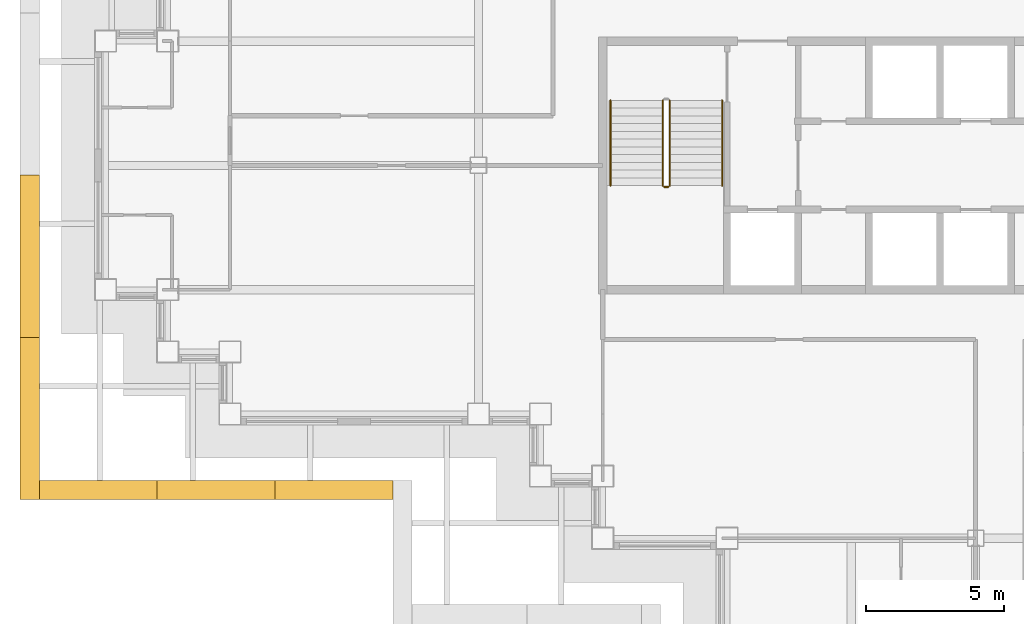
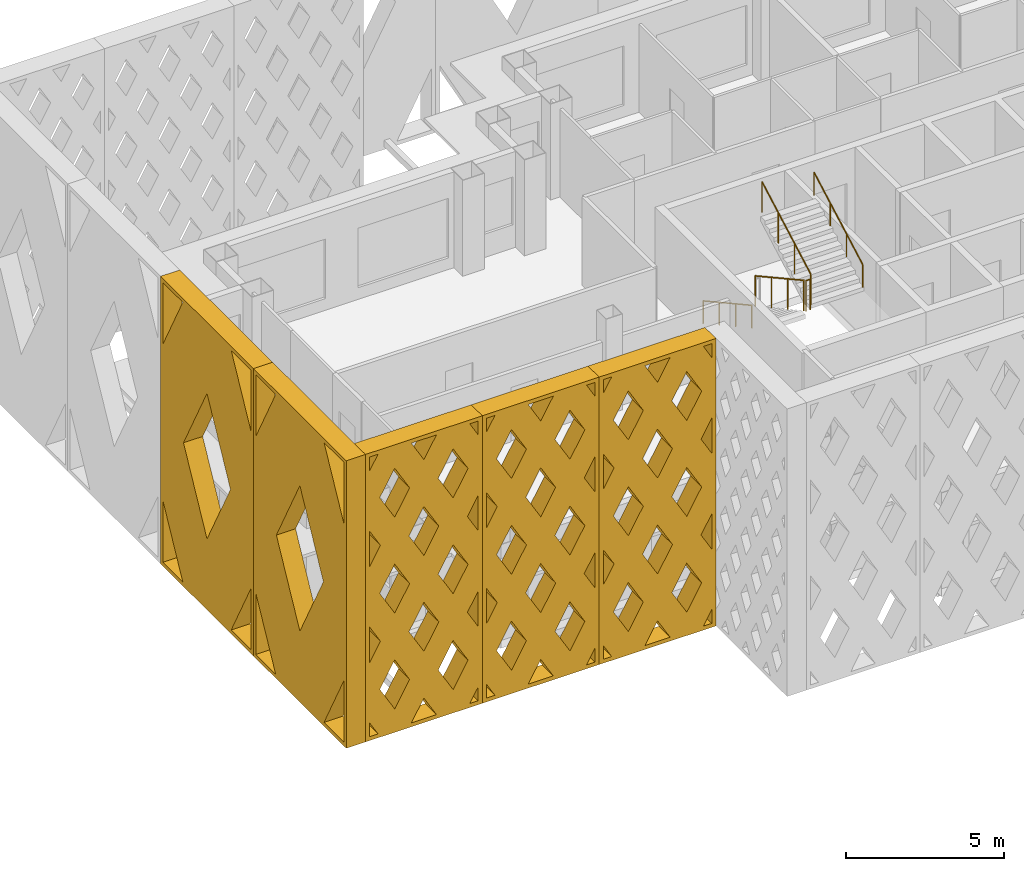
# One storey, part 14 of 18: 5 railings, 5 shading devices.
"""IFC4 building model written with IfcOpenShell, lengths in metres."""

from ifc_helpers import new_model, si_unit, direction, frame, origin, origin_2d, place, context, subcontext, project, spatial, polyline, circle, outline, extrude, material, type_object, element, save


model = new_model("IFC4")

# Units and contexts
model_context = context("Model", 3, precision=1e-05, world=origin(), true_north=direction((0.0, 1.0)))
body_context = subcontext(model_context, "Body", "Model", "MODEL_VIEW")
ifc_project = project(units=[si_unit("LENGTHUNIT", "METRE"), si_unit("AREAUNIT", "SQUARE_METRE"), si_unit("VOLUMEUNIT", "CUBIC_METRE"), si_unit("PLANEANGLEUNIT", "RADIAN"), si_unit("MASSUNIT", "GRAM", prefix="KILO")], contexts=[model_context])

# Site, building, storey
site_placement = place(None, origin())
site = spatial("IfcSite", under=ifc_project, at=site_placement, CompositionType="ELEMENT")
building_placement = place(site_placement, origin())
building = spatial("IfcBuilding", under=site, at=building_placement, Name="Caravel Reach Hotel and Residences", CompositionType="ELEMENT")
storey_placement = place(building_placement, frame((0.0, 0.0, 165.39990234375)))
storey = spatial("IfcBuildingStorey", under=building, at=storey_placement, Name="L41", CompositionType="ELEMENT", Elevation=165.39990234375)

# Shading devices
ifc_material_1 = material(Name="Black powder-coated aluminium", Category="aluminium")
shading_device_type_1 = type_object("IfcShadingDeviceType", Name="Diamond lattice screen panel 4267 x 11100", PredefinedType="USERDEFINED", material=ifc_material_1)
shading_device_1_placement = place(storey_placement, frame((-2.39990234375, 15.60009765625, 0.0), z_axis=(0.0, -1.0, 0.0), x_axis=(1.0, 0.0, 0.0)))
element("IfcShadingDevice", 1, at=shading_device_1_placement, inside=storey, type_object=shading_device_type_1, Name="Lattice screen L41-L43 14.1", ObjectType="SCREEN", PredefinedType="USERDEFINED", context=body_context, shape_type="SweptSolid", body=[
    extrude(outline(polyline([(0.0, 0.0), (4.2666015625, 0.0), (4.2666015625, 11.10009765625), (0.0, 11.10009765625), (0.0, 0.0)]), holes=[polyline([(0.45947265625, 0.14990234375), (0.14990234375, 0.6865234375), (0.14990234375, 0.14990234375), (0.45947265625, 0.14990234375)]), polyline([(0.5458984375, 3.699951171875), (0.14990234375, 4.386474609375), (0.14990234375, 3.013427734375), (0.5458984375, 3.699951171875)]), polyline([(0.5458984375, 7.39990234375), (0.14990234375, 8.086669921875), (0.14990234375, 6.71337890625), (0.5458984375, 7.39990234375)]), polyline([(0.14990234375, 10.413330078125), (0.45947265625, 10.949951171875), (0.14990234375, 10.949951171875), (0.14990234375, 10.413330078125)]), polyline([(1.066650390625, 2.796630859375), (0.520751953125, 1.85009765625), (1.066650390625, 0.9033203125), (1.612548828125, 1.85009765625), (1.066650390625, 2.796630859375)]), polyline([(1.066650390625, 6.496826171875), (0.520751953125, 5.550048828125), (1.066650390625, 4.603271484375), (1.612548828125, 5.550048828125), (1.066650390625, 6.496826171875)]), polyline([(1.066650390625, 10.19677734375), (0.520751953125, 9.25), (1.066650390625, 8.30322265625), (1.612548828125, 9.25), (1.066650390625, 10.19677734375)]), polyline([(2.13330078125, 0.94677734375), (1.674072265625, 0.14990234375), (2.5927734375, 0.14990234375), (2.13330078125, 0.94677734375)]), polyline([(2.13330078125, 4.646728515625), (1.58740234375, 3.699951171875), (2.13330078125, 2.753173828125), (2.67919921875, 3.699951171875), (2.13330078125, 4.646728515625)]), polyline([(2.13330078125, 8.3466796875), (1.58740234375, 7.39990234375), (2.13330078125, 6.453369140625), (2.67919921875, 7.39990234375), (2.13330078125, 8.3466796875)]), polyline([(2.13330078125, 10.1533203125), (2.5927734375, 10.949951171875), (1.674072265625, 10.949951171875), (2.13330078125, 10.1533203125)]), polyline([(3.199951171875, 2.796630859375), (2.654052734375, 1.85009765625), (3.199951171875, 0.9033203125), (3.745849609375, 1.85009765625), (3.199951171875, 2.796630859375)]), polyline([(3.199951171875, 6.496826171875), (2.654052734375, 5.550048828125), (3.199951171875, 4.603271484375), (3.745849609375, 5.550048828125), (3.199951171875, 6.496826171875)]), polyline([(3.199951171875, 10.19677734375), (2.654052734375, 9.25), (3.199951171875, 8.30322265625), (3.745849609375, 9.25), (3.199951171875, 10.19677734375)]), polyline([(4.11669921875, 0.6865234375), (3.807373046875, 0.14990234375), (4.11669921875, 0.14990234375), (4.11669921875, 0.6865234375)]), polyline([(3.720703125, 3.699951171875), (4.11669921875, 3.013427734375), (4.11669921875, 4.386474609375), (3.720703125, 3.699951171875)]), polyline([(3.720703125, 7.39990234375), (4.11669921875, 6.71337890625), (4.11669921875, 8.086669921875), (3.720703125, 7.39990234375)]), polyline([(3.807373046875, 10.949951171875), (4.11669921875, 10.413330078125), (4.11669921875, 10.949951171875), (3.807373046875, 10.949951171875)])]), origin(), (0.0, 0.0, 1.0), 0.7001953125),
])
shading_device_2_placement = place(storey_placement, frame((1.86669921875, 15.60009765625, 0.0), z_axis=(0.0, -1.0, 0.0), x_axis=(1.0, 0.0, 0.0)))
element("IfcShadingDevice", 2, at=shading_device_2_placement, inside=storey, type_object=shading_device_type_1, Name="Lattice screen L41-L43 14.2", ObjectType="SCREEN", PredefinedType="USERDEFINED", context=body_context, shape_type="SweptSolid", body=[
    extrude(outline(polyline([(0.0, 0.0), (4.2666015625, 0.0), (4.2666015625, 11.10009765625), (0.0, 11.10009765625), (0.0, 0.0)]), holes=[polyline([(0.45947265625, 0.14990234375), (0.14990234375, 0.6865234375), (0.14990234375, 0.14990234375), (0.45947265625, 0.14990234375)]), polyline([(0.5458984375, 3.699951171875), (0.14990234375, 4.386474609375), (0.14990234375, 3.013427734375), (0.5458984375, 3.699951171875)]), polyline([(0.5458984375, 7.39990234375), (0.14990234375, 8.086669921875), (0.14990234375, 6.71337890625), (0.5458984375, 7.39990234375)]), polyline([(0.14990234375, 10.413330078125), (0.45947265625, 10.949951171875), (0.14990234375, 10.949951171875), (0.14990234375, 10.413330078125)]), polyline([(1.066650390625, 2.796630859375), (0.520751953125, 1.85009765625), (1.066650390625, 0.9033203125), (1.612548828125, 1.85009765625), (1.066650390625, 2.796630859375)]), polyline([(1.066650390625, 6.496826171875), (0.520751953125, 5.550048828125), (1.066650390625, 4.603271484375), (1.612548828125, 5.550048828125), (1.066650390625, 6.496826171875)]), polyline([(1.066650390625, 10.19677734375), (0.520751953125, 9.25), (1.066650390625, 8.30322265625), (1.612548828125, 9.25), (1.066650390625, 10.19677734375)]), polyline([(2.13330078125, 0.94677734375), (1.674072265625, 0.14990234375), (2.5927734375, 0.14990234375), (2.13330078125, 0.94677734375)]), polyline([(2.13330078125, 4.646728515625), (1.58740234375, 3.699951171875), (2.13330078125, 2.753173828125), (2.67919921875, 3.699951171875), (2.13330078125, 4.646728515625)]), polyline([(2.13330078125, 8.3466796875), (1.58740234375, 7.39990234375), (2.13330078125, 6.453369140625), (2.67919921875, 7.39990234375), (2.13330078125, 8.3466796875)]), polyline([(2.13330078125, 10.1533203125), (2.5927734375, 10.949951171875), (1.674072265625, 10.949951171875), (2.13330078125, 10.1533203125)]), polyline([(3.199951171875, 2.796630859375), (2.654052734375, 1.85009765625), (3.199951171875, 0.9033203125), (3.745849609375, 1.85009765625), (3.199951171875, 2.796630859375)]), polyline([(3.199951171875, 6.496826171875), (2.654052734375, 5.550048828125), (3.199951171875, 4.603271484375), (3.745849609375, 5.550048828125), (3.199951171875, 6.496826171875)]), polyline([(3.199951171875, 10.19677734375), (2.654052734375, 9.25), (3.199951171875, 8.30322265625), (3.745849609375, 9.25), (3.199951171875, 10.19677734375)]), polyline([(4.11669921875, 0.6865234375), (3.807373046875, 0.14990234375), (4.11669921875, 0.14990234375), (4.11669921875, 0.6865234375)]), polyline([(3.720703125, 3.699951171875), (4.11669921875, 3.013427734375), (4.11669921875, 4.386474609375), (3.720703125, 3.699951171875)]), polyline([(3.720703125, 7.39990234375), (4.11669921875, 6.71337890625), (4.11669921875, 8.086669921875), (3.720703125, 7.39990234375)]), polyline([(3.807373046875, 10.949951171875), (4.11669921875, 10.413330078125), (4.11669921875, 10.949951171875), (3.807373046875, 10.949951171875)])]), origin(), (0.0, 0.0, 1.0), 0.7001953125),
])
shading_device_3_placement = place(storey_placement, frame((6.13330078125, 15.60009765625, 0.0), z_axis=(0.0, -1.0, 0.0), x_axis=(1.0, 0.0, 0.0)))
element("IfcShadingDevice", 3, at=shading_device_3_placement, inside=storey, type_object=shading_device_type_1, Name="Lattice screen L41-L43 14.3", ObjectType="SCREEN", PredefinedType="USERDEFINED", context=body_context, shape_type="SweptSolid", body=[
    extrude(outline(polyline([(0.0, 0.0), (4.2666015625, 0.0), (4.2666015625, 11.10009765625), (0.0, 11.10009765625), (0.0, 0.0)]), holes=[polyline([(0.45947265625, 0.14990234375), (0.14990234375, 0.6865234375), (0.14990234375, 0.14990234375), (0.45947265625, 0.14990234375)]), polyline([(0.5458984375, 3.699951171875), (0.14990234375, 4.386474609375), (0.14990234375, 3.013427734375), (0.5458984375, 3.699951171875)]), polyline([(0.5458984375, 7.39990234375), (0.14990234375, 8.086669921875), (0.14990234375, 6.71337890625), (0.5458984375, 7.39990234375)]), polyline([(0.14990234375, 10.413330078125), (0.45947265625, 10.949951171875), (0.14990234375, 10.949951171875), (0.14990234375, 10.413330078125)]), polyline([(1.066650390625, 2.796630859375), (0.520751953125, 1.85009765625), (1.066650390625, 0.9033203125), (1.612548828125, 1.85009765625), (1.066650390625, 2.796630859375)]), polyline([(1.066650390625, 6.496826171875), (0.520751953125, 5.550048828125), (1.066650390625, 4.603271484375), (1.612548828125, 5.550048828125), (1.066650390625, 6.496826171875)]), polyline([(1.066650390625, 10.19677734375), (0.520751953125, 9.25), (1.066650390625, 8.30322265625), (1.612548828125, 9.25), (1.066650390625, 10.19677734375)]), polyline([(2.13330078125, 0.94677734375), (1.674072265625, 0.14990234375), (2.5927734375, 0.14990234375), (2.13330078125, 0.94677734375)]), polyline([(2.13330078125, 4.646728515625), (1.58740234375, 3.699951171875), (2.13330078125, 2.753173828125), (2.67919921875, 3.699951171875), (2.13330078125, 4.646728515625)]), polyline([(2.13330078125, 8.3466796875), (1.58740234375, 7.39990234375), (2.13330078125, 6.453369140625), (2.67919921875, 7.39990234375), (2.13330078125, 8.3466796875)]), polyline([(2.13330078125, 10.1533203125), (2.5927734375, 10.949951171875), (1.674072265625, 10.949951171875), (2.13330078125, 10.1533203125)]), polyline([(3.199951171875, 2.796630859375), (2.654052734375, 1.85009765625), (3.199951171875, 0.9033203125), (3.745849609375, 1.85009765625), (3.199951171875, 2.796630859375)]), polyline([(3.199951171875, 6.496826171875), (2.654052734375, 5.550048828125), (3.199951171875, 4.603271484375), (3.745849609375, 5.550048828125), (3.199951171875, 6.496826171875)]), polyline([(3.199951171875, 10.19677734375), (2.654052734375, 9.25), (3.199951171875, 8.30322265625), (3.745849609375, 9.25), (3.199951171875, 10.19677734375)]), polyline([(4.11669921875, 0.6865234375), (3.807373046875, 0.14990234375), (4.11669921875, 0.14990234375), (4.11669921875, 0.6865234375)]), polyline([(3.720703125, 3.699951171875), (4.11669921875, 3.013427734375), (4.11669921875, 4.386474609375), (3.720703125, 3.699951171875)]), polyline([(3.720703125, 7.39990234375), (4.11669921875, 6.71337890625), (4.11669921875, 8.086669921875), (3.720703125, 7.39990234375)]), polyline([(3.807373046875, 10.949951171875), (4.11669921875, 10.413330078125), (4.11669921875, 10.949951171875), (3.807373046875, 10.949951171875)])]), origin(), (0.0, 0.0, 1.0), 0.7001953125),
])
ifc_material_2 = material(Name="Black powder-coated aluminium", Category="aluminium")
shading_device_type_2 = type_object("IfcShadingDeviceType", Name="Diamond lattice screen panel 5875 x 11100", PredefinedType="USERDEFINED", material=ifc_material_2)
for number, where, z_axis, x_axis, name in (
    (4, (-2.39990234375, 26.64990234375, 0.0), (-1.0, 0.0, 0.0), (0.0, -1.0, 0.0), "Lattice screen L41-L43 13.3"),
    (5, (-2.39990234375, 20.77490234375, 0.0), (-1.0, 0.0, 0.0), (0.0, -1.0, 0.0), "Lattice screen L41-L43 13.4"),
):
    element("IfcShadingDevice", number, at=place(storey_placement, frame(where, z_axis=z_axis, x_axis=x_axis)), inside=storey, type_object=shading_device_type_2, Name=name, ObjectType="SCREEN", PredefinedType="USERDEFINED", context=body_context, shape_type="SweptSolid", body=[
        extrude(outline(polyline([(0.0, 0.0), (5.875, 0.0), (5.875, 11.10009765625), (0.0, 11.10009765625), (0.0, 0.0)]), holes=[polyline([(1.408447265625, 0.14990234375), (0.14990234375, 2.52734375), (0.14990234375, 0.14990234375), (1.408447265625, 0.14990234375)]), polyline([(0.14990234375, 8.572509765625), (1.408447265625, 10.949951171875), (0.14990234375, 10.949951171875), (0.14990234375, 8.572509765625)]), polyline([(2.9375, 8.36083984375), (1.44970703125, 5.550048828125), (2.9375, 2.7392578125), (4.42529296875, 5.550048828125), (2.9375, 8.36083984375)]), polyline([(5.72509765625, 2.52734375), (4.466552734375, 0.14990234375), (5.72509765625, 0.14990234375), (5.72509765625, 2.52734375)]), polyline([(4.466552734375, 10.949951171875), (5.72509765625, 8.572509765625), (5.72509765625, 10.949951171875), (4.466552734375, 10.949951171875)])]), origin(), (0.0, 0.0, 1.0), 0.7001953125),
    ])

# Railings
ifc_material_3 = material(Name="Steel balustrade with glass infill", Category="steel")
railing_type_1 = type_object("IfcRailingType", Name="Guard 1200", PredefinedType="GUARDRAIL", material=ifc_material_3)
railing_1_placement = place(storey_placement, frame((20.175048828125, 29.35009765625, 0.154296875)))
element("IfcRailing", 6, at=railing_1_placement, inside=storey, type_object=railing_type_1, Name="L41 ST-A stair guard 1", PredefinedType="GUARDRAIL", context=body_context, shape_type="SweptSolid", body=[
    extrude(circle(Radius=0.02392578125, at=origin_2d()), frame((0.0, 0.0, 1.17578125), z_axis=(0.0, -0.876004717809, 0.482302534076), x_axis=(1.0, 0.0, 0.0)), (0.0, 0.0, 1.0), 3.51611328125),
    extrude(circle(Radius=0.02099609375, at=origin_2d()), origin(), (0.0, 0.0, 1.0), 1.15185546875),
    extrude(circle(Radius=0.02099609375, at=origin_2d()), frame((0.0, -1.026611328125, 0.565185546875)), (0.0, 0.0, 1.0), 1.15185546875),
    extrude(circle(Radius=0.02099609375, at=origin_2d()), frame((0.0, -2.053466796875, 1.130615234375)), (0.0, 0.0, 1.0), 1.15185546875),
    extrude(circle(Radius=0.02099609375, at=origin_2d()), frame((0.0, -3.080078125, 1.69580078125)), (0.0, 0.0, 1.0), 1.15185546875),
])
railing_2_placement = place(storey_placement, frame((20.22509765625, 26.219970703125, 1.85009765625)))
element("IfcRailing", 7, at=railing_2_placement, inside=storey, type_object=railing_type_1, Name="L41 ST-A stair guard 2", PredefinedType="GUARDRAIL", context=body_context, shape_type="SweptSolid", body=[
    extrude(circle(Radius=0.02392578125, at=origin_2d()), frame((0.0, 0.0, 1.17578125), z_axis=(1.0, 0.0, 0.0), x_axis=(0.0, 1.0, 0.0)), (0.0, 0.0, 1.0), 0.14990234375),
    extrude(circle(Radius=0.02099609375, at=origin_2d()), origin(), (0.0, 0.0, 1.0), 1.15185546875),
    extrude(circle(Radius=0.02099609375, at=origin_2d()), frame((0.14990234375, 0.0, 0.0)), (0.0, 0.0, 1.0), 1.15185546875),
])
railing_3_placement = place(storey_placement, frame((20.425048828125, 26.27001953125, 2.004150390625)))
element("IfcRailing", 8, at=railing_3_placement, inside=storey, type_object=railing_type_1, Name="L41 ST-A stair guard 3", PredefinedType="GUARDRAIL", context=body_context, shape_type="SweptSolid", body=[
    extrude(circle(Radius=0.02392578125, at=origin_2d()), frame((0.0, 0.0, 1.17578125), z_axis=(0.0, 0.875975380505, 0.482355815502), x_axis=(-1.0, 0.0, 0.0)), (0.0, 0.0, 1.0), 3.51611328125),
    extrude(circle(Radius=0.02099609375, at=origin_2d()), origin(), (0.0, 0.0, 1.0), 1.15185546875),
    extrude(circle(Radius=0.02099609375, at=origin_2d()), frame((0.0, 1.026611328125, 0.5654296875)), (0.0, 0.0, 1.0), 1.15185546875),
    extrude(circle(Radius=0.02099609375, at=origin_2d()), frame((0.0, 2.053466796875, 1.130615234375)), (0.0, 0.0, 1.0), 1.15185546875),
    extrude(circle(Radius=0.02099609375, at=origin_2d()), frame((0.0, 3.080078125, 1.696044921875)), (0.0, 0.0, 1.0), 1.15185546875),
])
ifc_material_4 = material(Name="Stainless steel handrail", Category="steel")
railing_type_2 = type_object("IfcRailingType", Name="Handrail 900", PredefinedType="HANDRAIL", material=ifc_material_4)
railing_4_placement = place(storey_placement, frame((18.27490234375, 29.35009765625, 0.154296875)))
element("IfcRailing", 9, at=railing_4_placement, inside=storey, type_object=railing_type_2, Name="L41 ST-A stair handrail 1", PredefinedType="HANDRAIL", context=body_context, shape_type="SweptSolid", body=[
    extrude(circle(Radius=0.02392578125, at=origin_2d()), frame((0.0, 0.0, 0.8759765625), z_axis=(0.0, -0.876004717809, 0.482302534076), x_axis=(1.0, 0.0, 0.0)), (0.0, 0.0, 1.0), 3.51611328125),
    extrude(circle(Radius=0.02099609375, at=origin_2d()), origin(), (0.0, 0.0, 1.0), 0.851806640625),
    extrude(circle(Radius=0.02099609375, at=origin_2d()), frame((0.0, -1.026611328125, 0.565185546875)), (0.0, 0.0, 1.0), 0.851806640625),
    extrude(circle(Radius=0.02099609375, at=origin_2d()), frame((0.0, -2.053466796875, 1.130615234375)), (0.0, 0.0, 1.0), 0.851806640625),
    extrude(circle(Radius=0.02099609375, at=origin_2d()), frame((0.0, -3.080078125, 1.69580078125)), (0.0, 0.0, 1.0), 0.851806640625),
])
railing_5_placement = place(storey_placement, frame((22.324951171875, 26.27001953125, 2.004150390625)))
element("IfcRailing", 10, at=railing_5_placement, inside=storey, type_object=railing_type_2, Name="L41 ST-A stair handrail 2", PredefinedType="HANDRAIL", context=body_context, shape_type="SweptSolid", body=[
    extrude(circle(Radius=0.02392578125, at=origin_2d()), frame((0.0, 0.0, 0.8759765625), z_axis=(0.0, 0.875975380505, 0.482355815502), x_axis=(-1.0, 0.0, 0.0)), (0.0, 0.0, 1.0), 3.51611328125),
    extrude(circle(Radius=0.02099609375, at=origin_2d()), origin(), (0.0, 0.0, 1.0), 0.851806640625),
    extrude(circle(Radius=0.02099609375, at=origin_2d()), frame((0.0, 1.026611328125, 0.5654296875)), (0.0, 0.0, 1.0), 0.851806640625),
    extrude(circle(Radius=0.02099609375, at=origin_2d()), frame((0.0, 2.053466796875, 1.130615234375)), (0.0, 0.0, 1.0), 0.851806640625),
    extrude(circle(Radius=0.02099609375, at=origin_2d()), frame((0.0, 3.080078125, 1.696044921875)), (0.0, 0.0, 1.0), 0.851806640625),
])

save(model, "model.ifc")
